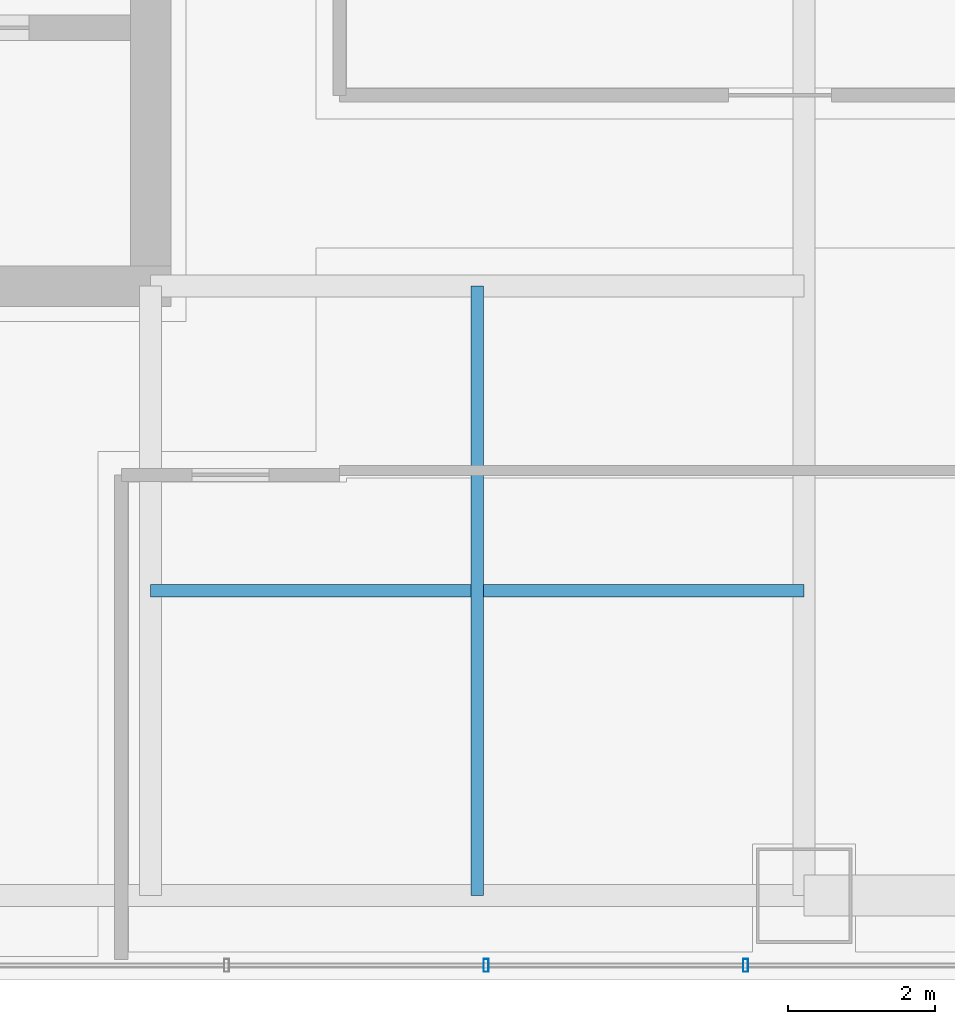
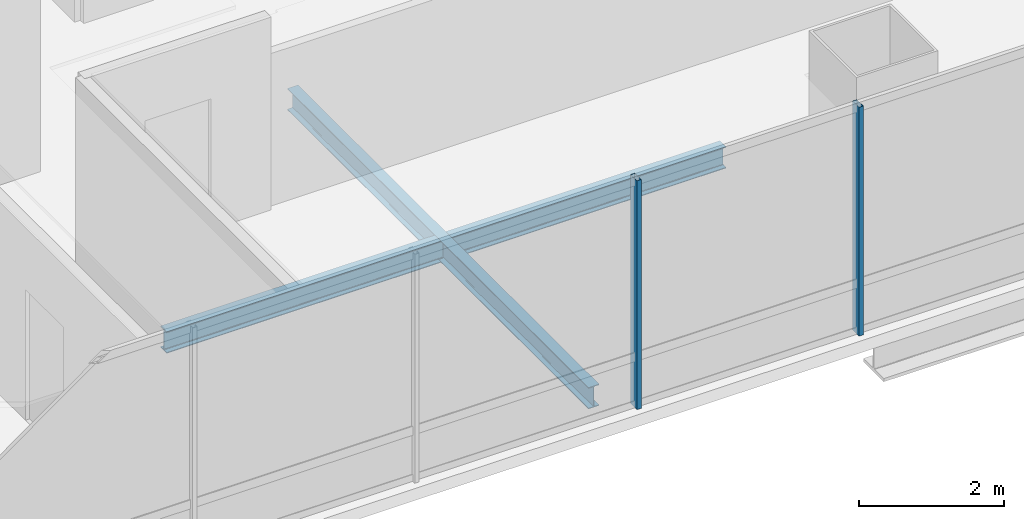
# One storey, part 14 of 42: 2 beams, 2 members, 1 element without a shape of its own.
"""IFC4 building model written with IfcOpenShell, lengths in metres."""

import ifcopenshell
import ifcopenshell.guid

model = None  # the IFC model being written
_history = None  # IfcOwnerHistory: only IFC2X3 demands one
_inside = {}  # id of a spatial element -> (the spatial element, [elements in it])
_under = {}  # id of a project, library or spatial element -> (it, [spatial elements below it])
_declared = {}  # id of a project -> (the project, [libraries it declares])
_typed = {}  # id of a type object -> (the type object, [elements of that type])
_made_of = {}  # id of a material, layer set ... -> (it, [elements and type objects made of it])


def new_model(schema):
    """Start an empty IFC model of exactly this schema.

    Asked for "IFC4X3", IfcOpenShell would pick the latest addendum, in which some entities
    have other attributes; the version numbers below select the first issue.
    IFC2X3 requires an IfcOwnerHistory on every rooted entity: one is made here for all.
    """
    global model, _history
    if schema == "IFC4X3":
        model = ifcopenshell.file(schema_version=(4, 3, 0, 0))
    else:
        model = ifcopenshell.file(schema=schema)
    _inside.clear()
    _under.clear()
    _declared.clear()
    _typed.clear()
    _made_of.clear()
    _history = None
    if model.schema == "IFC2X3":
        org = make("IfcOrganization", Name="unknown")
        user = make(
            "IfcPersonAndOrganization",
            ThePerson=make("IfcPerson", FamilyName="unknown"),
            TheOrganization=org,
        )
        app = make(
            "IfcApplication",
            ApplicationDeveloper=org,
            Version="unknown",
            ApplicationFullName="unknown",
            ApplicationIdentifier="unknown",
        )
        _history = make(
            "IfcOwnerHistory",
            OwningUser=user,
            OwningApplication=app,
            ChangeAction="ADDED",
            CreationDate=0,
        )
    return model


def make(cls, **values):
    """One entity of the class cls with the attributes given. An attribute that is None is left unset."""
    return model.create_entity(
        cls, **{name: value for name, value in values.items() if value is not None}
    )


def rooted(cls, **values):
    """An entity with a GlobalId (a new one), such as an element, a storey or a relation."""
    return make(cls, GlobalId=ifcopenshell.guid.new(), OwnerHistory=_history, **values)


def si_unit(unit_type, name, prefix=None):
    """IfcSIUnit, for example si_unit("LENGTHUNIT", "METRE", prefix="MILLI")."""
    return make("IfcSIUnit", UnitType=unit_type, Prefix=prefix, Name=name)


def assignment(units):
    """IfcUnitAssignment: the units of a project."""
    return None if units is None else make("IfcUnitAssignment", Units=units)


def point(xyz):
    """IfcCartesianPoint."""
    return None if xyz is None else make("IfcCartesianPoint", Coordinates=xyz)


def direction(xyz):
    """IfcDirection."""
    return None if xyz is None else make("IfcDirection", DirectionRatios=xyz)


def frame(location, z_axis=None, x_axis=None):
    """IfcAxis2Placement3D, a coordinate frame: its origin and axes. An axis left out is left unset."""
    return make(
        "IfcAxis2Placement3D",
        Location=point(location),
        Axis=direction(z_axis),
        RefDirection=direction(x_axis),
    )


def frame_2d(location, x_axis=None):
    """IfcAxis2Placement2D, a coordinate frame in the plane: its origin and x axis."""
    return make(
        "IfcAxis2Placement2D", Location=point(location), RefDirection=direction(x_axis)
    )


def origin():
    """The frame at (0, 0, 0) with its axes left unset."""
    return frame((0.0, 0.0, 0.0))


def origin_2d():
    """The frame at (0, 0) in the plane with its x axis left unset."""
    return frame_2d((0.0, 0.0))


def place(relative_to, where):
    """IfcLocalPlacement: puts the frame where relative to a parent placement (None: the world)."""
    return make(
        "IfcLocalPlacement", PlacementRelTo=relative_to, RelativePlacement=where
    )


def context(
    kind, dimensions, precision=None, world=None, true_north=None, identifier=None
):
    """IfcGeometricRepresentationContext, for example the 3D "Model" context."""
    return make(
        "IfcGeometricRepresentationContext",
        ContextIdentifier=identifier,
        ContextType=kind,
        CoordinateSpaceDimension=dimensions,
        Precision=precision,
        WorldCoordinateSystem=world,
        TrueNorth=true_north,
    )


def subcontext(parent, identifier, kind, view, scale=None):
    """IfcGeometricRepresentationSubContext, for example "Body" below "Model"."""
    return make(
        "IfcGeometricRepresentationSubContext",
        ContextIdentifier=identifier,
        ContextType=kind,
        ParentContext=parent,
        TargetScale=scale,
        TargetView=view,
    )


def project(units=None, contexts=None):
    """IfcProject with its units and contexts."""
    return rooted(
        "IfcProject",
        Name="project",
        RepresentationContexts=contexts,
        UnitsInContext=assignment(units),
    )


def spatial(cls, under=None, at=None, **own):
    """A site, building, storey or space (cls), placed at a placement, below another one or the project."""
    s = rooted(cls, ObjectPlacement=at, **own)
    if under is not None:
        _under.setdefault(under.id(), (under, []))[1].append(s)
    return s


def profile(cls, at=None, kind="AREA", **sizes):
    """A parametric profile (cls). Its sizes go by their IFC names, for example OverallWidth=200.0."""
    return make(cls, ProfileType=kind, Position=at, **sizes)


def hollow_rectangle(**sizes):
    """IfcRectangleHollowProfileDef."""
    return profile("IfcRectangleHollowProfileDef", **sizes)


def i_section(**sizes):
    """IfcIShapeProfileDef."""
    return profile("IfcIShapeProfileDef", **sizes)


def extrude(swept, where, along, depth):
    """IfcExtrudedAreaSolid: the profile swept, set in the frame where, extruded along a direction by depth."""
    return make(
        "IfcExtrudedAreaSolid",
        SweptArea=swept,
        Position=where,
        ExtrudedDirection=direction(along),
        Depth=depth,
    )


def shape(context_of_items, identifier, shape_type, items):
    """IfcShapeRepresentation: the items that make up one representation, for example the "Body"."""
    return make(
        "IfcShapeRepresentation",
        ContextOfItems=context_of_items,
        RepresentationIdentifier=identifier,
        RepresentationType=shape_type,
        Items=items,
    )


def material(Name=None, Category=None):
    """IfcMaterial."""
    return make("IfcMaterial", Name=Name, Category=Category)


def material_profile(
    of_material, cross_section, Name=None, Category=None, Priority=None
):
    """IfcMaterialProfile: a cross section and its material."""
    return make(
        "IfcMaterialProfile",
        Name=Name,
        Material=of_material,
        Profile=cross_section,
        Priority=Priority,
        Category=Category,
    )


def profile_set(profiles, Name=None, composite=None):
    """IfcMaterialProfileSet."""
    return make(
        "IfcMaterialProfileSet",
        Name=Name,
        MaterialProfiles=profiles,
        CompositeProfile=composite,
    )


def made_of(thing, what):
    """Note that an element or type object is made of a material, layer set ...; save() writes the relation."""
    if what is not None:
        _made_of.setdefault(what.id(), (what, []))[1].append(thing)
    return thing


def type_object(cls, material=None, **own):
    """A type object (cls), such as IfcWallType, which elements share."""
    return made_of(rooted(cls, **own), material)


def element(
    cls,
    number,
    at=None,
    inside=None,
    cuts=None,
    type_object=None,
    material=None,
    context=None,
    identifier="Body",
    shape_type=None,
    held_by="IfcProductDefinitionShape",
    body=None,
    shapes=None,
    **own,
):
    """One element of the class cls, such as IfcWall. Its Tag is "e" and its number.

    at: its placement. inside: the storey or other place that contains it. cuts: it is an
    opening in that element (IfcRelVoidsElement). A single representation is given by context,
    identifier, shape_type and body (its items); several are given by shapes. held_by: the class
    of the entity that holds the representations. save() writes the other relations.
    """
    e = rooted(cls, Tag="e%d" % number, ObjectPlacement=at, **own)
    if body is not None:
        shapes = [shape(context, identifier, shape_type, body)]
    if shapes is not None:
        e.Representation = make(held_by, Representations=shapes)
    if inside is not None:
        _inside.setdefault(inside.id(), (inside, []))[1].append(e)
    if cuts is not None:
        rooted(
            "IfcRelVoidsElement", RelatingBuildingElement=cuts, RelatedOpeningElement=e
        )
    if type_object is not None:
        _typed.setdefault(type_object.id(), (type_object, []))[1].append(e)
    return made_of(e, material)


def aggregate(whole, parts):
    """IfcRelAggregates: a whole, such as a stair, and the parts it consists of."""
    return rooted("IfcRelAggregates", RelatingObject=whole, RelatedObjects=parts)


def save(model, path):
    """Write the relations noted so far, then the file.

    IfcRelAggregates (storeys below a building ...), IfcRelContainedInSpatialStructure (elements
    in a storey), IfcRelDefinesByType, IfcRelAssociatesMaterial and IfcRelDeclares: one each for
    every whole, place, type object, material and project.
    """
    for whole, parts in _under.values():
        aggregate(whole, parts)
    for where, things in _inside.values():
        rooted(
            "IfcRelContainedInSpatialStructure",
            RelatedElements=things,
            RelatingStructure=where,
        )
    for kind, things in _typed.values():
        rooted("IfcRelDefinesByType", RelatedObjects=things, RelatingType=kind)
    for what, things in _made_of.values():
        rooted("IfcRelAssociatesMaterial", RelatedObjects=things, RelatingMaterial=what)
    for by, libraries in _declared.values():
        rooted("IfcRelDeclares", RelatingContext=by, RelatedDefinitions=libraries)
    model.write(path)


model = new_model("IFC4")

# Units and contexts
model_context = context("Model", 3, precision=1e-05, world=origin(), true_north=direction((0.0, 1.0)))
body_context = subcontext(model_context, "Body", "Model", "MODEL_VIEW")
ifc_project = project(units=[si_unit("LENGTHUNIT", "METRE"), si_unit("AREAUNIT", "SQUARE_METRE"), si_unit("VOLUMEUNIT", "CUBIC_METRE"), si_unit("PLANEANGLEUNIT", "RADIAN"), si_unit("MASSUNIT", "GRAM", prefix="KILO")], contexts=[model_context])

# Site, building, storey
site_placement = place(None, origin())
site = spatial("IfcSite", under=ifc_project, at=site_placement, CompositionType="ELEMENT")
building_placement = place(site_placement, origin())
building = spatial("IfcBuilding", under=site, at=building_placement, Name="Punatoya Terracotta Tower", CompositionType="ELEMENT")
storey_placement = place(building_placement, frame((0.0, 0.0, 259.5)))
storey = spatial("IfcBuildingStorey", under=building, at=storey_placement, Name="L61", CompositionType="ELEMENT", Elevation=259.5)

# Beams
ifc_material_1 = material(Name="Steel S355", Category="steel")
ifc_material_profile_1 = material_profile(ifc_material_1, i_section(OverallWidth=0.169921875, OverallDepth=0.360107421875, WebThickness=0.008056640625, FlangeThickness=0.0126953125, FilletRadius=0.01806640625, at=origin_2d()))
ifc_profile_set_1 = profile_set([ifc_material_profile_1], Name="Steel S355")
beam_type = type_object("IfcBeamType", Name="BM-SEC-360", PredefinedType="JOIST", material=ifc_profile_set_1)
beam_1_placement = place(storey_placement, frame((10.199951171875, -13.35009765625, -0.3798828125), z_axis=(1.0, 0.0, 0.0), x_axis=(0.0, 1.0, 0.0)))
element("IfcBeam", 1, at=beam_1_placement, inside=storey, type_object=beam_type, Name="BM-L61-SJS-2", PredefinedType="JOIST", context=body_context, shape_type="SweptSolid", body=[
    extrude(i_section(OverallWidth=0.169921875, OverallDepth=0.360107421875, WebThickness=0.008056640625, FlangeThickness=0.0126953125, FilletRadius=0.01806640625, at=origin_2d()), origin(), (0.0, 0.0, 1.0), 8.900146484375),
])
beam_2_placement = place(storey_placement, frame((14.64990234375, -17.5, -0.3798828125), z_axis=(0.0, 1.0, 0.0), x_axis=(-1.0, 0.0, 0.0)))
element("IfcBeam", 2, at=beam_2_placement, inside=storey, type_object=beam_type, Name="BM-L61-SJE-1", PredefinedType="JOIST", context=body_context, shape_type="SweptSolid", body=[
    extrude(i_section(OverallWidth=0.169921875, OverallDepth=0.360107421875, WebThickness=0.008056640625, FlangeThickness=0.0126953125, FilletRadius=0.01806640625, at=origin_2d()), origin(), (0.0, 0.0, 1.0), 8.300048828125),
])

# Curtain wall, members
ifc_material_2 = material(Name="Aluminium 6063-T6 + Double Low-E Glass", Category="aluminium")
curtain_wall_type = type_object("IfcCurtainWallType", Name="CW-M3", PredefinedType="NOTDEFINED", material=ifc_material_2)
curtain_wall_placement = place(storey_placement, origin())
curtain_wall = element("IfcCurtainWall", 3, at=curtain_wall_placement, inside=storey, type_object=curtain_wall_type, Name="L61 Curtain Wall CW-L61-S01-1", PredefinedType="NOTDEFINED")
ifc_material_3 = material(Name="Aluminium 6063-T6", Category="aluminium")
ifc_material_profile_2 = material_profile(ifc_material_3, hollow_rectangle(XDim=0.070068359375, YDim=0.179931640625, WallThickness=0.00390625, at=origin_2d()))
ifc_profile_set_2 = profile_set([ifc_material_profile_2], Name="Aluminium 6063-T6")
member_type = type_object("IfcMemberType", Name="CW-MUL-M3", PredefinedType="MULLION", material=ifc_profile_set_2)
member_1_placement = place(storey_placement, frame((14.768798828125, -18.449951171875, 0.0), z_axis=(0.0, 0.0, 1.0), x_axis=(1.0, 0.0, 0.0)))
member_1 = element("IfcMember", 4, at=member_1_placement, type_object=member_type, Name="CW-L61-S01-1 Mullion 09", PredefinedType="MULLION", context=body_context, shape_type="SweptSolid", body=[
    extrude(hollow_rectangle(XDim=0.070068359375, YDim=0.179931640625, WallThickness=0.00390625, at=origin_2d()), origin(), (0.0, 0.0, 1.0), 3.85009765625),
])
member_2_placement = place(storey_placement, frame((18.302978515625, -18.449951171875, 0.0), z_axis=(0.0, 0.0, 1.0), x_axis=(1.0, 0.0, 0.0)))
member_2 = element("IfcMember", 5, at=member_2_placement, type_object=member_type, Name="CW-L61-S01-1 Mullion 10", PredefinedType="MULLION", context=body_context, shape_type="SweptSolid", body=[
    extrude(hollow_rectangle(XDim=0.070068359375, YDim=0.179931640625, WallThickness=0.00390625, at=origin_2d()), origin(), (0.0, 0.0, 1.0), 3.85009765625),
])
aggregate(curtain_wall, [member_1, member_2])

save(model, "model.ifc")
